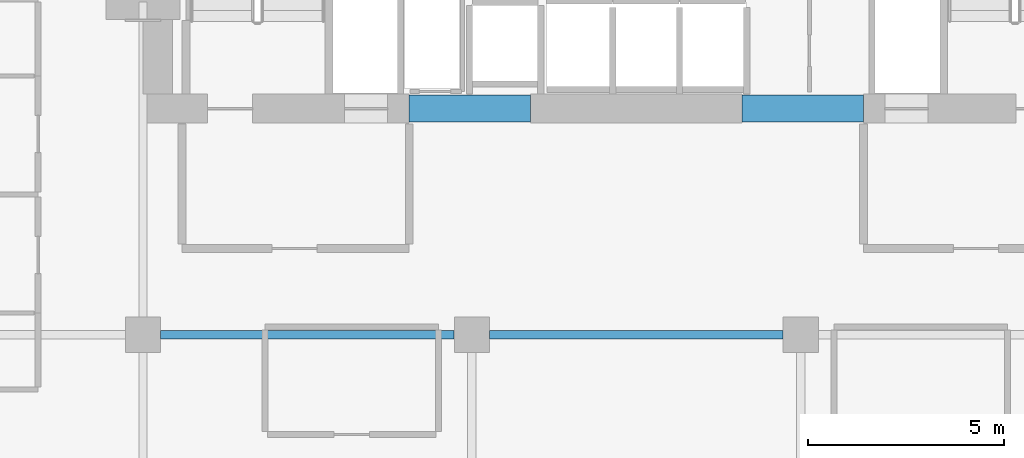
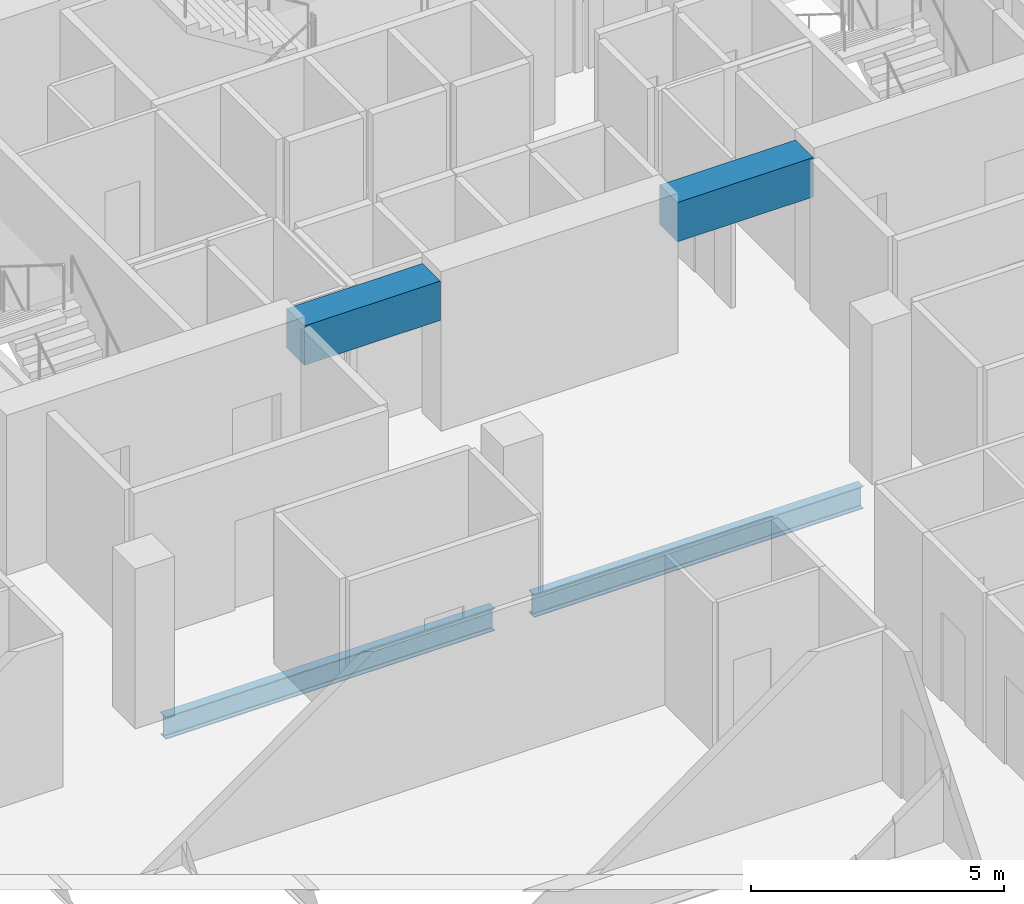
# One storey, part 21 of 34: 4 beams.
"""IFC4 building model written with IfcOpenShell, lengths in metres."""

from ifc_helpers import new_model, si_unit, direction, frame, origin, origin_2d, place, context, subcontext, project, spatial, rectangle, i_section, extrude, material, material_profile, profile_set, type_object, element, save


model = new_model("IFC4")

# Units and contexts
model_context = context("Model", 3, precision=1e-05, world=origin(), true_north=direction((0.0, 1.0)))
body_context = subcontext(model_context, "Body", "Model", "MODEL_VIEW")
ifc_project = project(units=[si_unit("LENGTHUNIT", "METRE"), si_unit("AREAUNIT", "SQUARE_METRE"), si_unit("VOLUMEUNIT", "CUBIC_METRE"), si_unit("PLANEANGLEUNIT", "RADIAN"), si_unit("MASSUNIT", "GRAM", prefix="KILO")], contexts=[model_context])

# Site, building, storey
site_placement = place(None, origin())
site = spatial("IfcSite", under=ifc_project, at=site_placement, CompositionType="ELEMENT")
building_placement = place(site_placement, origin())
building = spatial("IfcBuilding", under=site, at=building_placement, Name="Maruvema Waterfront Hotel and Observation Tower", CompositionType="ELEMENT")
storey_placement = place(building_placement, frame((0.0, 0.0, 212.10009765625)))
storey = spatial("IfcBuildingStorey", under=building, at=storey_placement, Name="L52", CompositionType="ELEMENT", Elevation=212.10009765625)

# Beams
ifc_material_1 = material(Name="Concrete C60/75", Category="concrete")
ifc_material_profile_1 = material_profile(ifc_material_1, rectangle(XDim=0.699951171875, YDim=0.949951171875, at=origin_2d()), Name="CB700x950")
ifc_profile_set_1 = profile_set([ifc_material_profile_1], Name="Concrete C60/75")
beam_type_1 = type_object("IfcBeamType", Name="Core Coupling Lintel Beam CB700x950", PredefinedType="LINTEL", material=ifc_profile_set_1)
for number, where, z_axis, x_axis, name in (
    (1, (32.0, 41.77490234375, 3.135009765625), (1.0, 0.0, 0.0), (0.0, 1.0, 0.0), "L52 Core Coupling Lintel Beam West"),
    (2, (40.5, 41.77490234375, 3.135009765625), (1.0, 0.0, 0.0), (0.0, 1.0, 0.0), "L52 Core Coupling Lintel Beam East"),
):
    element("IfcBeam", number, at=place(storey_placement, frame(where, z_axis=z_axis, x_axis=x_axis)), inside=storey, type_object=beam_type_1, Name=name, PredefinedType="LINTEL", context=body_context, shape_type="SweptSolid", body=[
        extrude(rectangle(XDim=0.699951171875, YDim=0.949951171875, at=origin_2d()), origin(), (0.0, 0.0, 1.0), 3.10009765625),
    ])
ifc_material_2 = material(Name="Steel ASTM A572 Grade 50", Category="steel")
ifc_material_profile_2 = material_profile(ifc_material_2, i_section(OverallWidth=0.2109375, OverallDepth=0.5390625, WebThickness=0.01171875, FlangeThickness=0.018798828125, FilletRadius=0.014892578125, at=origin_2d()), Name="W530x109.0")
ifc_profile_set_2 = profile_set([ifc_material_profile_2], Name="Steel ASTM A572 Grade 50")
beam_type_2 = type_object("IfcBeamType", Name="Primary Floor Girder W530x109.0", PredefinedType="BEAM", material=ifc_profile_set_2)
for number, where, z_axis, x_axis, name in (
    (3, (25.64990234375, 36.0, -0.509521484375), (1.0, 0.0, 0.0), (0.0, 1.0, 0.0), "L52 Floor Girder EW-25"),
    (4, (34.050048828125, 36.0, -0.509521484375), (1.0, 0.0, 0.0), (0.0, 1.0, 0.0), "L52 Floor Girder EW-26"),
):
    element("IfcBeam", number, at=place(storey_placement, frame(where, z_axis=z_axis, x_axis=x_axis)), inside=storey, type_object=beam_type_2, Name=name, PredefinedType="BEAM", context=body_context, shape_type="SweptSolid", body=[
        extrude(i_section(OverallWidth=0.2109375, OverallDepth=0.5390625, WebThickness=0.01171875, FlangeThickness=0.018798828125, FilletRadius=0.014892578125, at=origin_2d()), origin(), (0.0, 0.0, 1.0), 7.5),
    ])

save(model, "model.ifc")
